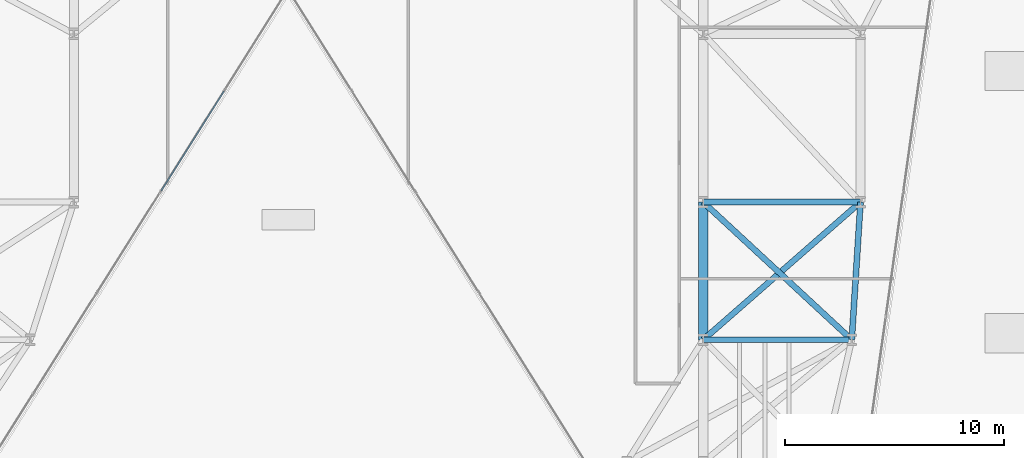
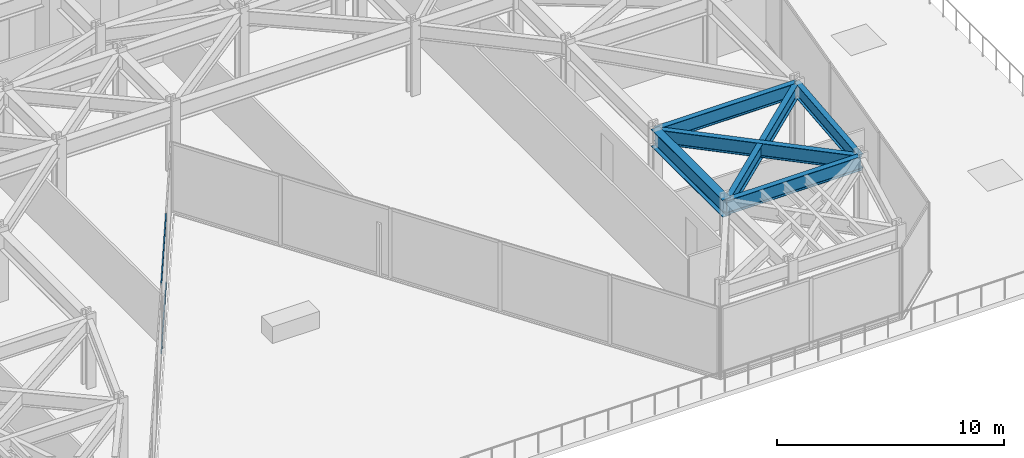
# One storey, part 10 of 25: 6 beams, 2 members, 1 element without a shape of its own.
"""IFC4 building model written with IfcOpenShell, lengths in metres."""

import ifcopenshell
import ifcopenshell.guid

model = None  # the IFC model being written
_history = None  # IfcOwnerHistory: only IFC2X3 demands one
_inside = {}  # id of a spatial element -> (the spatial element, [elements in it])
_under = {}  # id of a project, library or spatial element -> (it, [spatial elements below it])
_declared = {}  # id of a project -> (the project, [libraries it declares])
_typed = {}  # id of a type object -> (the type object, [elements of that type])
_made_of = {}  # id of a material, layer set ... -> (it, [elements and type objects made of it])


def new_model(schema):
    """Start an empty IFC model of exactly this schema.

    Asked for "IFC4X3", IfcOpenShell would pick the latest addendum, in which some entities
    have other attributes; the version numbers below select the first issue.
    IFC2X3 requires an IfcOwnerHistory on every rooted entity: one is made here for all.
    """
    global model, _history
    if schema == "IFC4X3":
        model = ifcopenshell.file(schema_version=(4, 3, 0, 0))
    else:
        model = ifcopenshell.file(schema=schema)
    _inside.clear()
    _under.clear()
    _declared.clear()
    _typed.clear()
    _made_of.clear()
    _history = None
    if model.schema == "IFC2X3":
        org = make("IfcOrganization", Name="unknown")
        user = make(
            "IfcPersonAndOrganization",
            ThePerson=make("IfcPerson", FamilyName="unknown"),
            TheOrganization=org,
        )
        app = make(
            "IfcApplication",
            ApplicationDeveloper=org,
            Version="unknown",
            ApplicationFullName="unknown",
            ApplicationIdentifier="unknown",
        )
        _history = make(
            "IfcOwnerHistory",
            OwningUser=user,
            OwningApplication=app,
            ChangeAction="ADDED",
            CreationDate=0,
        )
    return model


def make(cls, **values):
    """One entity of the class cls with the attributes given. An attribute that is None is left unset."""
    return model.create_entity(
        cls, **{name: value for name, value in values.items() if value is not None}
    )


def rooted(cls, **values):
    """An entity with a GlobalId (a new one), such as an element, a storey or a relation."""
    return make(cls, GlobalId=ifcopenshell.guid.new(), OwnerHistory=_history, **values)


def si_unit(unit_type, name, prefix=None):
    """IfcSIUnit, for example si_unit("LENGTHUNIT", "METRE", prefix="MILLI")."""
    return make("IfcSIUnit", UnitType=unit_type, Prefix=prefix, Name=name)


def assignment(units):
    """IfcUnitAssignment: the units of a project."""
    return None if units is None else make("IfcUnitAssignment", Units=units)


def point(xyz):
    """IfcCartesianPoint."""
    return None if xyz is None else make("IfcCartesianPoint", Coordinates=xyz)


def direction(xyz):
    """IfcDirection."""
    return None if xyz is None else make("IfcDirection", DirectionRatios=xyz)


def frame(location, z_axis=None, x_axis=None):
    """IfcAxis2Placement3D, a coordinate frame: its origin and axes. An axis left out is left unset."""
    return make(
        "IfcAxis2Placement3D",
        Location=point(location),
        Axis=direction(z_axis),
        RefDirection=direction(x_axis),
    )


def frame_2d(location, x_axis=None):
    """IfcAxis2Placement2D, a coordinate frame in the plane: its origin and x axis."""
    return make(
        "IfcAxis2Placement2D", Location=point(location), RefDirection=direction(x_axis)
    )


def origin():
    """The frame at (0, 0, 0) with its axes left unset."""
    return frame((0.0, 0.0, 0.0))


def origin_2d():
    """The frame at (0, 0) in the plane with its x axis left unset."""
    return frame_2d((0.0, 0.0))


def place(relative_to, where):
    """IfcLocalPlacement: puts the frame where relative to a parent placement (None: the world)."""
    return make(
        "IfcLocalPlacement", PlacementRelTo=relative_to, RelativePlacement=where
    )


def context(
    kind, dimensions, precision=None, world=None, true_north=None, identifier=None
):
    """IfcGeometricRepresentationContext, for example the 3D "Model" context."""
    return make(
        "IfcGeometricRepresentationContext",
        ContextIdentifier=identifier,
        ContextType=kind,
        CoordinateSpaceDimension=dimensions,
        Precision=precision,
        WorldCoordinateSystem=world,
        TrueNorth=true_north,
    )


def subcontext(parent, identifier, kind, view, scale=None):
    """IfcGeometricRepresentationSubContext, for example "Body" below "Model"."""
    return make(
        "IfcGeometricRepresentationSubContext",
        ContextIdentifier=identifier,
        ContextType=kind,
        ParentContext=parent,
        TargetScale=scale,
        TargetView=view,
    )


def project(units=None, contexts=None):
    """IfcProject with its units and contexts."""
    return rooted(
        "IfcProject",
        Name="project",
        RepresentationContexts=contexts,
        UnitsInContext=assignment(units),
    )


def spatial(cls, under=None, at=None, **own):
    """A site, building, storey or space (cls), placed at a placement, below another one or the project."""
    s = rooted(cls, ObjectPlacement=at, **own)
    if under is not None:
        _under.setdefault(under.id(), (under, []))[1].append(s)
    return s


def profile(cls, at=None, kind="AREA", **sizes):
    """A parametric profile (cls). Its sizes go by their IFC names, for example OverallWidth=200.0."""
    return make(cls, ProfileType=kind, Position=at, **sizes)


def hollow_rectangle(**sizes):
    """IfcRectangleHollowProfileDef."""
    return profile("IfcRectangleHollowProfileDef", **sizes)


def i_section(**sizes):
    """IfcIShapeProfileDef."""
    return profile("IfcIShapeProfileDef", **sizes)


def extrude(swept, where, along, depth):
    """IfcExtrudedAreaSolid: the profile swept, set in the frame where, extruded along a direction by depth."""
    return make(
        "IfcExtrudedAreaSolid",
        SweptArea=swept,
        Position=where,
        ExtrudedDirection=direction(along),
        Depth=depth,
    )


def shape(context_of_items, identifier, shape_type, items):
    """IfcShapeRepresentation: the items that make up one representation, for example the "Body"."""
    return make(
        "IfcShapeRepresentation",
        ContextOfItems=context_of_items,
        RepresentationIdentifier=identifier,
        RepresentationType=shape_type,
        Items=items,
    )


def material(Name=None, Category=None):
    """IfcMaterial."""
    return make("IfcMaterial", Name=Name, Category=Category)


def layer(
    of_material, thickness, ventilated=None, Name=None, Category=None, Priority=None
):
    """IfcMaterialLayer: one layer of a wall or slab, of a material (None: an air gap)."""
    return make(
        "IfcMaterialLayer",
        Material=of_material,
        LayerThickness=thickness,
        IsVentilated=ventilated,
        Name=Name,
        Category=Category,
        Priority=Priority,
    )


def layer_set(layers, Name=None):
    """IfcMaterialLayerSet."""
    return make("IfcMaterialLayerSet", MaterialLayers=layers, LayerSetName=Name)


def material_profile(
    of_material, cross_section, Name=None, Category=None, Priority=None
):
    """IfcMaterialProfile: a cross section and its material."""
    return make(
        "IfcMaterialProfile",
        Name=Name,
        Material=of_material,
        Profile=cross_section,
        Priority=Priority,
        Category=Category,
    )


def profile_set(profiles, Name=None, composite=None):
    """IfcMaterialProfileSet."""
    return make(
        "IfcMaterialProfileSet",
        Name=Name,
        MaterialProfiles=profiles,
        CompositeProfile=composite,
    )


def made_of(thing, what):
    """Note that an element or type object is made of a material, layer set ...; save() writes the relation."""
    if what is not None:
        _made_of.setdefault(what.id(), (what, []))[1].append(thing)
    return thing


def type_object(cls, material=None, **own):
    """A type object (cls), such as IfcWallType, which elements share."""
    return made_of(rooted(cls, **own), material)


def element(
    cls,
    number,
    at=None,
    inside=None,
    cuts=None,
    type_object=None,
    material=None,
    context=None,
    identifier="Body",
    shape_type=None,
    held_by="IfcProductDefinitionShape",
    body=None,
    shapes=None,
    **own,
):
    """One element of the class cls, such as IfcWall. Its Tag is "e" and its number.

    at: its placement. inside: the storey or other place that contains it. cuts: it is an
    opening in that element (IfcRelVoidsElement). A single representation is given by context,
    identifier, shape_type and body (its items); several are given by shapes. held_by: the class
    of the entity that holds the representations. save() writes the other relations.
    """
    e = rooted(cls, Tag="e%d" % number, ObjectPlacement=at, **own)
    if body is not None:
        shapes = [shape(context, identifier, shape_type, body)]
    if shapes is not None:
        e.Representation = make(held_by, Representations=shapes)
    if inside is not None:
        _inside.setdefault(inside.id(), (inside, []))[1].append(e)
    if cuts is not None:
        rooted(
            "IfcRelVoidsElement", RelatingBuildingElement=cuts, RelatedOpeningElement=e
        )
    if type_object is not None:
        _typed.setdefault(type_object.id(), (type_object, []))[1].append(e)
    return made_of(e, material)


def aggregate(whole, parts):
    """IfcRelAggregates: a whole, such as a stair, and the parts it consists of."""
    return rooted("IfcRelAggregates", RelatingObject=whole, RelatedObjects=parts)


def save(model, path):
    """Write the relations noted so far, then the file.

    IfcRelAggregates (storeys below a building ...), IfcRelContainedInSpatialStructure (elements
    in a storey), IfcRelDefinesByType, IfcRelAssociatesMaterial and IfcRelDeclares: one each for
    every whole, place, type object, material and project.
    """
    for whole, parts in _under.values():
        aggregate(whole, parts)
    for where, things in _inside.values():
        rooted(
            "IfcRelContainedInSpatialStructure",
            RelatedElements=things,
            RelatingStructure=where,
        )
    for kind, things in _typed.values():
        rooted("IfcRelDefinesByType", RelatedObjects=things, RelatingType=kind)
    for what, things in _made_of.values():
        rooted("IfcRelAssociatesMaterial", RelatedObjects=things, RelatingMaterial=what)
    for by, libraries in _declared.values():
        rooted("IfcRelDeclares", RelatingContext=by, RelatedDefinitions=libraries)
    model.write(path)


model = new_model("IFC4")

# Units and contexts
model_context = context("Model", 3, precision=1e-05, world=origin(), true_north=direction((0.0, 1.0)))
body_context = subcontext(model_context, "Body", "Model", "MODEL_VIEW")
ifc_project = project(units=[si_unit("LENGTHUNIT", "METRE"), si_unit("AREAUNIT", "SQUARE_METRE"), si_unit("VOLUMEUNIT", "CUBIC_METRE"), si_unit("PLANEANGLEUNIT", "RADIAN"), si_unit("MASSUNIT", "GRAM", prefix="KILO")], contexts=[model_context])

# Site, building, storey
site_placement = place(None, origin())
site = spatial("IfcSite", under=ifc_project, at=site_placement, CompositionType="ELEMENT")
building_placement = place(site_placement, origin())
building = spatial("IfcBuilding", under=site, at=building_placement, Name="Kravanh Interchange Tower", CompositionType="ELEMENT")
storey_placement = place(building_placement, frame((0.0, 0.0, 29.5)))
storey = spatial("IfcBuildingStorey", under=building, at=storey_placement, Name="L06", CompositionType="ELEMENT", Elevation=29.5)

# Curtain wall, members
ifc_material_1 = material(Name="Anodised Bronze Aluminium", Category="aluminium")
ifc_layer = layer(ifc_material_1, 0.179931640625)
ifc_layer_set = layer_set([ifc_layer], Name="Unitised Curtain Wall System CW-Z1 Lower Office")
curtain_wall_type = type_object("IfcCurtainWallType", Name="Unitised Curtain Wall System CW-Z1 Lower Office", PredefinedType="NOTDEFINED", material=ifc_layer_set)
curtain_wall_placement = place(storey_placement, origin())
curtain_wall = element("IfcCurtainWall", 1, at=curtain_wall_placement, inside=storey, type_object=curtain_wall_type, Name="L06 Unitised Curtain Wall CW-L06-05", PredefinedType="NOTDEFINED")
ifc_material_2 = material(Name="Anodised Bronze Aluminium", Category="aluminium")
ifc_material_profile_1 = material_profile(ifc_material_2, hollow_rectangle(XDim=0.06005859375, YDim=0.139892578125, WallThickness=0.00390625, at=origin_2d()), Name="ALU60X140X4")
ifc_profile_set_1 = profile_set([ifc_material_profile_1], Name="Anodised Bronze Aluminium")
member_type = type_object("IfcMemberType", Name="Curtain Wall Transom ALU60X140X4 Bronze", PredefinedType="USERDEFINED", material=ifc_profile_set_1)
member_1_placement = place(storey_placement, frame((34.068115234375, 19.574462890625, 0.030029296875), z_axis=(-0.533311487456, -0.84591894254, 0.0), x_axis=(0.84591894254, -0.533311487456, 0.0)))
member_1 = element("IfcMember", 2, at=member_1_placement, type_object=member_type, Name="CW-Z1 transom 2.1", ObjectType="TRANSOM", PredefinedType="USERDEFINED", context=body_context, shape_type="SweptSolid", body=[
    extrude(hollow_rectangle(XDim=0.06005859375, YDim=0.139892578125, WallThickness=0.00390625, at=origin_2d()), origin(), (0.0, 0.0, 1.0), 5.392578125),
])
member_2_placement = place(storey_placement, frame((34.068115234375, 19.574462890625, 3.7099609375), z_axis=(-0.533311487456, -0.84591894254, 0.0), x_axis=(0.84591894254, -0.533311487456, 0.0)))
member_2 = element("IfcMember", 3, at=member_2_placement, type_object=member_type, Name="CW-Z1 transom 2.2", ObjectType="TRANSOM", PredefinedType="USERDEFINED", context=body_context, shape_type="SweptSolid", body=[
    extrude(hollow_rectangle(XDim=0.06005859375, YDim=0.139892578125, WallThickness=0.00390625, at=origin_2d()), origin(), (0.0, 0.0, 1.0), 5.392578125),
])
aggregate(curtain_wall, [member_1, member_2])

# Beams
ifc_material_3 = material(Name="Structural Steel S355", Category="steel")
ifc_material_profile_2 = material_profile(ifc_material_3, i_section(OverallWidth=0.41796875, OverallDepth=0.927001953125, WebThickness=0.019287109375, FlangeThickness=0.031982421875, FilletRadius=0.028076171875, at=origin_2d()), Name="W36X231")
ifc_profile_set_2 = profile_set([ifc_material_profile_2], Name="Structural Steel S355")
beam_type_1 = type_object("IfcBeamType", Name="Floor Beam W36X231 Structural Steel S355", PredefinedType="BEAM", material=ifc_profile_set_2)
beam_1_placement = place(storey_placement, frame((56.0, 14.5, 3.276611328125), z_axis=(0.0, -1.0, 0.0), x_axis=(1.0, 0.0, 0.0)))
element("IfcBeam", 4, at=beam_1_placement, inside=storey, type_object=beam_type_1, Name="L06 Primary Floor Girder 42", PredefinedType="BEAM", context=body_context, shape_type="SweptSolid", body=[
    extrude(i_section(OverallWidth=0.41796875, OverallDepth=0.927001953125, WebThickness=0.019287109375, FlangeThickness=0.031982421875, FilletRadius=0.028076171875, at=origin_2d()), origin(), (0.0, 0.0, 1.0), 6.300048828125),
])
ifc_material_4 = material(Name="Structural Steel S355", Category="steel")
ifc_material_profile_3 = material_profile(ifc_material_4, i_section(OverallWidth=0.26708984375, OverallDepth=0.761962890625, WebThickness=0.014404296875, FlangeThickness=0.021484375, FilletRadius=0.02490234375, at=origin_2d()), Name="W30X116")
ifc_profile_set_3 = profile_set([ifc_material_profile_3], Name="Structural Steel S355")
beam_type_2 = type_object("IfcBeamType", Name="Floor Spandrel W30X116 Structural Steel S355", PredefinedType="SPANDREL", material=ifc_profile_set_3)
beam_2_placement = place(storey_placement, frame((56.0, 14.5, 3.35888671875), z_axis=(1.0, 0.0, 0.0), x_axis=(0.0, 1.0, 0.0)))
element("IfcBeam", 5, at=beam_2_placement, inside=storey, type_object=beam_type_2, Name="L06 Perimeter Spandrel 43", PredefinedType="SPANDREL", context=body_context, shape_type="SweptSolid", body=[
    extrude(i_section(OverallWidth=0.26708984375, OverallDepth=0.761962890625, WebThickness=0.014404296875, FlangeThickness=0.021484375, FilletRadius=0.02490234375, at=origin_2d()), origin(), (0.0, 0.0, 1.0), 7.199951171875),
])
beam_3_placement = place(storey_placement, frame((56.0, 14.5, 3.35888671875), z_axis=(0.733561267923, -0.679623326706, 0.0), x_axis=(0.679623326706, 0.733561267923, 0.0)))
element("IfcBeam", 6, at=beam_3_placement, inside=storey, type_object=beam_type_2, Name="L06 Perimeter Spandrel 45", PredefinedType="SPANDREL", context=body_context, shape_type="SweptSolid", body=[
    extrude(i_section(OverallWidth=0.26708984375, OverallDepth=0.761962890625, WebThickness=0.014404296875, FlangeThickness=0.021484375, FilletRadius=0.02490234375, at=origin_2d()), origin(), (0.0, 0.0, 1.0), 9.27001953125),
])
beam_4_placement = place(storey_placement, frame((63.199951171875, 14.5, 3.35888671875), z_axis=(-0.063348576418, -0.99799146182, 0.0), x_axis=(0.99799146182, -0.063348576418, 0.0)))
element("IfcBeam", 7, at=beam_4_placement, inside=storey, type_object=beam_type_2, Name="L06 Perimeter Spandrel 46", PredefinedType="SPANDREL", context=body_context, shape_type="SweptSolid", body=[
    extrude(i_section(OverallWidth=0.26708984375, OverallDepth=0.761962890625, WebThickness=0.014404296875, FlangeThickness=0.021484375, FilletRadius=0.02490234375, at=origin_2d()), origin(), (0.0, 0.0, 1.0), 6.312744140625),
])
beam_5_placement = place(storey_placement, frame((63.199951171875, 14.5, 3.35888671875), z_axis=(-0.752571952274, -0.658510027752, 0.0), x_axis=(0.658510027752, -0.752571952274, 0.0)))
element("IfcBeam", 8, at=beam_5_placement, inside=storey, type_object=beam_type_2, Name="L06 Perimeter Spandrel 48", PredefinedType="SPANDREL", context=body_context, shape_type="SweptSolid", body=[
    extrude(i_section(OverallWidth=0.26708984375, OverallDepth=0.761962890625, WebThickness=0.014404296875, FlangeThickness=0.021484375, FilletRadius=0.02490234375, at=origin_2d()), origin(), (0.0, 0.0, 1.0), 9.567138671875),
])
beam_6_placement = place(storey_placement, frame((56.0, 8.199951171875, 3.35888671875), z_axis=(1.0, 0.0, 0.0), x_axis=(0.0, 1.0, 0.0)))
element("IfcBeam", 9, at=beam_6_placement, inside=storey, type_object=beam_type_2, Name="L06 Perimeter Spandrel 142", PredefinedType="SPANDREL", context=body_context, shape_type="SweptSolid", body=[
    extrude(i_section(OverallWidth=0.26708984375, OverallDepth=0.761962890625, WebThickness=0.014404296875, FlangeThickness=0.021484375, FilletRadius=0.02490234375, at=origin_2d()), origin(), (0.0, 0.0, 1.0), 6.800048828125),
])

save(model, "model.ifc")
